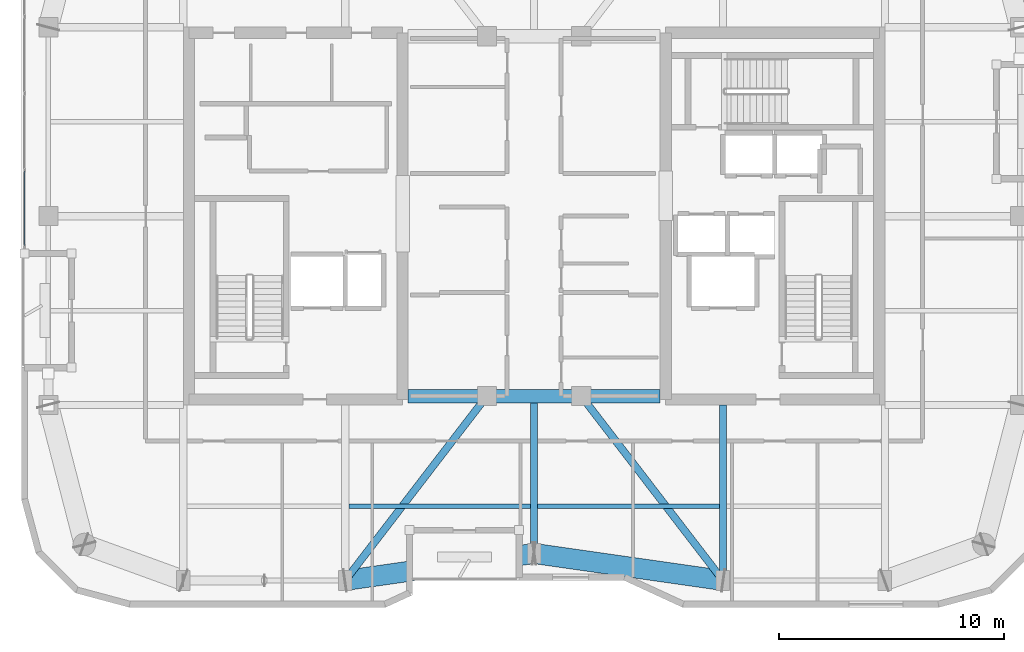
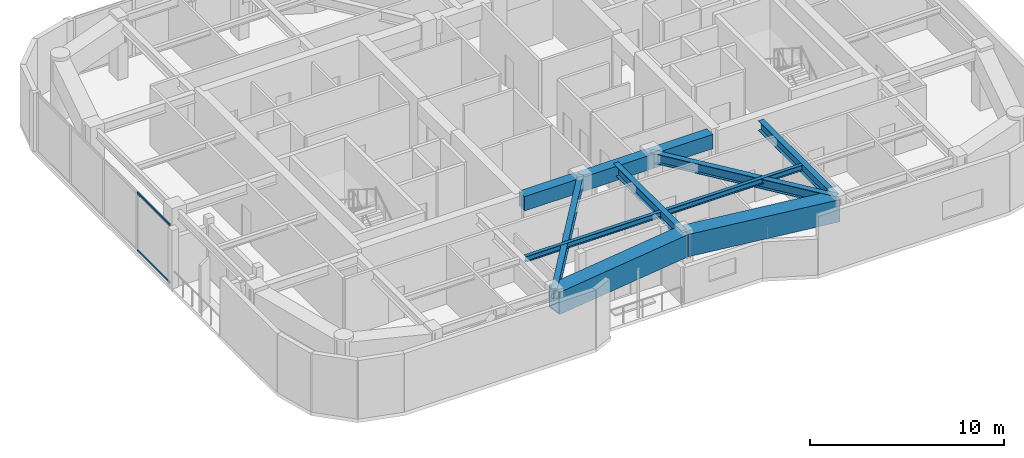
# One storey, part 3 of 15: 11 beams, 2 members, 1 element without a shape of its own.
"""IFC4 building model written with IfcOpenShell, lengths in metres."""

from ifc_helpers import new_model, si_unit, direction, frame, origin, origin_2d, place, context, subcontext, project, spatial, rectangle, hollow_rectangle, i_section, extrude, material, layer, layer_set, material_profile, profile_set, type_object, element, aggregate, save


model = new_model("IFC4")

# Units and contexts
model_context = context("Model", 3, precision=1e-05, world=origin(), true_north=direction((0.0, 1.0)))
body_context = subcontext(model_context, "Body", "Model", "MODEL_VIEW")
ifc_project = project(units=[si_unit("LENGTHUNIT", "METRE"), si_unit("AREAUNIT", "SQUARE_METRE"), si_unit("VOLUMEUNIT", "CUBIC_METRE"), si_unit("PLANEANGLEUNIT", "RADIAN"), si_unit("MASSUNIT", "GRAM", prefix="KILO")], contexts=[model_context])

# Site, building, storey
site_placement = place(None, origin())
site = spatial("IfcSite", under=ifc_project, at=site_placement, CompositionType="ELEMENT")
building_placement = place(site_placement, origin())
building = spatial("IfcBuilding", under=site, at=building_placement, Name="Kiyonajd Concourse Tower", CompositionType="ELEMENT")
storey_placement = place(building_placement, frame((0.0, 0.0, 321.89990234375)))
storey = spatial("IfcBuildingStorey", under=building, at=storey_placement, Name="L81", CompositionType="ELEMENT", Elevation=321.89990234375)

# Beams
ifc_material_1 = material(Name="Concrete C60/75", Category="concrete")
ifc_material_profile_1 = material_profile(ifc_material_1, rectangle(XDim=0.60009765625, YDim=0.89990234375, at=origin_2d()), Name="RCBM-600x900")
ifc_profile_set_1 = profile_set([ifc_material_profile_1], Name="Concrete C60/75")
beam_type_1 = type_object("IfcBeamType", Name="BM-COUP-900", PredefinedType="LINTEL", material=ifc_profile_set_1)
beam_1_placement = place(storey_placement, frame((42.39990234375, 28.0, 3.22998046875), z_axis=(1.0, 0.0, 0.0), x_axis=(0.0, 1.0, 0.0)))
element("IfcBeam", 1, at=beam_1_placement, inside=storey, type_object=beam_type_1, Name="L81 Core Coupling Beam S1", PredefinedType="LINTEL", context=body_context, shape_type="SweptSolid", body=[
    extrude(rectangle(XDim=0.60009765625, YDim=0.89990234375, at=origin_2d()), origin(), (0.0, 0.0, 1.0), 3.5),
])
beam_2_placement = place(storey_placement, frame((45.89990234375, 28.0, 3.22998046875), z_axis=(1.0, 0.0, 0.0), x_axis=(0.0, 1.0, 0.0)))
element("IfcBeam", 2, at=beam_2_placement, inside=storey, type_object=beam_type_1, Name="L81 Core Coupling Beam S2", PredefinedType="LINTEL", context=body_context, shape_type="SweptSolid", body=[
    extrude(rectangle(XDim=0.60009765625, YDim=0.89990234375, at=origin_2d()), origin(), (0.0, 0.0, 1.0), 4.2001953125),
])
beam_3_placement = place(storey_placement, frame((50.10009765625, 28.0, 3.22998046875), z_axis=(1.0, 0.0, 0.0), x_axis=(0.0, 1.0, 0.0)))
element("IfcBeam", 3, at=beam_3_placement, inside=storey, type_object=beam_type_1, Name="L81 Core Coupling Beam S3", PredefinedType="LINTEL", context=body_context, shape_type="SweptSolid", body=[
    extrude(rectangle(XDim=0.60009765625, YDim=0.89990234375, at=origin_2d()), origin(), (0.0, 0.0, 1.0), 3.5),
])
ifc_material_2 = material(Name="Steel ASTM A992 Grade 50", Category="steel")
ifc_material_profile_2 = material_profile(ifc_material_2, i_section(OverallWidth=0.205078125, OverallDepth=0.35400390625, WebThickness=0.009521484375, FlangeThickness=0.016845703125, at=origin_2d()), Name="W360X79")
ifc_profile_set_2 = profile_set([ifc_material_profile_2], Name="Steel ASTM A992 Grade 50")
beam_type_2 = type_object("IfcBeamType", Name="BM-JST-360", PredefinedType="JOIST", material=ifc_profile_set_2)
for number, where, z_axis, x_axis, name in (
    (4, (39.761962890625, 23.10009765625, 3.503173828125), (1.0, 0.0, 0.0), (0.0, 1.0, 0.0), "L81 Secondary Floor Joist"),
    (5, (48.162109375, 23.10009765625, 3.503173828125), (1.0, 0.0, 0.0), (0.0, 1.0, 0.0), "L81 Secondary Floor Joist"),
):
    element("IfcBeam", number, at=place(storey_placement, frame(where, z_axis=z_axis, x_axis=x_axis)), inside=storey, type_object=beam_type_2, Name=name, PredefinedType="JOIST", context=body_context, shape_type="SweptSolid", body=[
        extrude(i_section(OverallWidth=0.205078125, OverallDepth=0.35400390625, WebThickness=0.009521484375, FlangeThickness=0.016845703125, at=origin_2d()), origin(), (0.0, 0.0, 1.0), 8.075927734375),
    ])
ifc_material_profile_3 = material_profile(ifc_material_2, i_section(OverallWidth=0.326904296875, OverallDepth=0.6220703125, WebThickness=0.015380859375, FlangeThickness=0.0244140625, at=origin_2d()), Name="W610X195")
ifc_profile_set_3 = profile_set([ifc_material_profile_3], Name="Steel ASTM A992 Grade 50")
beam_type_3 = type_object("IfcBeamType", Name="BM-TWR-610A", PredefinedType="BEAM", material=ifc_profile_set_3)
for number, where, z_axis, x_axis, name in (
    (6, (39.60009765625, 19.800048828125, 3.369140625), (0.609233709922, 0.792990722956, 0.0), (-0.792990722956, 0.609233709922, 0.0), "L81 Core Tie Girder"),
    (7, (50.10009765625, 28.0, 3.369140625), (0.609233709922, -0.792990722956, 0.0), (0.792990722956, 0.609233709922, 0.0), "L81 Core Tie Girder"),
):
    element("IfcBeam", number, at=place(storey_placement, frame(where, z_axis=z_axis, x_axis=x_axis)), inside=storey, type_object=beam_type_3, Name=name, PredefinedType="BEAM", context=body_context, shape_type="SweptSolid", body=[
        extrude(i_section(OverallWidth=0.326904296875, OverallDepth=0.6220703125, WebThickness=0.015380859375, FlangeThickness=0.0244140625, at=origin_2d()), origin(), (0.0, 0.0, 1.0), 10.340576171875),
    ])
ifc_material_profile_4 = material_profile(ifc_material_2, i_section(OverallWidth=0.323974609375, OverallDepth=0.611083984375, WebThickness=0.0126953125, FlangeThickness=0.01904296875, at=origin_2d()), Name="W610X155")
ifc_profile_set_4 = profile_set([ifc_material_profile_4], Name="Steel ASTM A992 Grade 50")
beam_type_4 = type_object("IfcBeamType", Name="BM-TWR-610B", PredefinedType="BEAM", material=ifc_profile_set_4)
beam_4_placement = place(storey_placement, frame((56.39990234375, 19.800048828125, 3.37451171875), z_axis=(0.0, 1.0, 0.0), x_axis=(-1.0, 0.0, 0.0)))
element("IfcBeam", 8, at=beam_4_placement, inside=storey, type_object=beam_type_4, Name="L81 South Lease Girder", PredefinedType="BEAM", context=body_context, shape_type="SweptSolid", body=[
    extrude(i_section(OverallWidth=0.323974609375, OverallDepth=0.611083984375, WebThickness=0.0126953125, FlangeThickness=0.01904296875, at=origin_2d()), origin(), (0.0, 0.0, 1.0), 7.800048828125),
])
beam_5_placement = place(storey_placement, frame((48.0, 21.0, 3.37451171875), z_axis=(0.0, 1.0, 0.0), x_axis=(-1.0, 0.0, 0.0)))
element("IfcBeam", 9, at=beam_5_placement, inside=storey, type_object=beam_type_4, Name="L81 South Ribbon Girder", PredefinedType="BEAM", context=body_context, shape_type="SweptSolid", body=[
    extrude(i_section(OverallWidth=0.323974609375, OverallDepth=0.611083984375, WebThickness=0.0126953125, FlangeThickness=0.01904296875, at=origin_2d()), origin(), (0.0, 0.0, 1.0), 7.0),
])
ifc_material_3 = material(Name="Steel ASTM A572 Grade 50", Category="steel")
ifc_material_profile_5 = material_profile(ifc_material_3, hollow_rectangle(XDim=0.89990234375, YDim=1.39990234375, WallThickness=0.070068359375, at=origin_2d()), Name="BOX-1400x900x70")
ifc_profile_set_5 = profile_set([ifc_material_profile_5], Name="Steel ASTM A572 Grade 50")
beam_type_5 = type_object("IfcBeamType", Name="BM-XFER-1400", PredefinedType="BEAM", material=ifc_profile_set_5)
for number, where, z_axis, x_axis, name in (
    (10, (39.60009765625, 19.800048828125, 2.97998046875), (0.989950069105, 0.141417328072, 0.0), (-0.141417328072, 0.989950069105, 0.0), "L81 Perimeter Bundled Tube Spandrel"),
    (11, (48.0, 21.0, 2.97998046875), (0.989950069105, -0.141417328072, 0.0), (0.141417328072, 0.989950069105, 0.0), "L81 Perimeter Bundled Tube Spandrel"),
):
    element("IfcBeam", number, at=place(storey_placement, frame(where, z_axis=z_axis, x_axis=x_axis)), inside=storey, type_object=beam_type_5, Name=name, PredefinedType="BEAM", context=body_context, shape_type="SweptSolid", body=[
        extrude(hollow_rectangle(XDim=0.89990234375, YDim=1.39990234375, WallThickness=0.070068359375, at=origin_2d()), origin(), (0.0, 0.0, 1.0), 8.485107421875),
    ])

# Curtain wall, members
ifc_material_4 = material(Name="Thermally Broken Anodised Aluminium", Category="aluminium")
ifc_layer = layer(ifc_material_4, 0.179931640625)
ifc_layer_set = layer_set([ifc_layer], Name="Thermally Broken Anodised Aluminium")
curtain_wall_type = type_object("IfcCurtainWallType", Name="CW-SYS-04", PredefinedType="NOTDEFINED", material=ifc_layer_set)
curtain_wall_placement = place(storey_placement, origin())
curtain_wall = element("IfcCurtainWall", 12, at=curtain_wall_placement, inside=storey, type_object=curtain_wall_type, Name="L81 Unitised Curtain Wall CW4", PredefinedType="NOTDEFINED")
ifc_material_profile_6 = material_profile(ifc_material_4, hollow_rectangle(XDim=0.06494140625, YDim=0.139892578125, WallThickness=0.00390625, at=origin_2d()), Name="TRAN-65x140")
ifc_profile_set_6 = profile_set([ifc_material_profile_6], Name="Thermally Broken Anodised Aluminium")
member_type = type_object("IfcMemberType", Name="MB-CW-TRAN1", PredefinedType="USERDEFINED", material=ifc_profile_set_6)
member_1_placement = place(storey_placement, frame((25.340087890625, 34.695068359375, 0.03271484375), z_axis=(0.0, 1.0, 0.0), x_axis=(-1.0, 0.0, 0.0)))
member_1 = element("IfcMember", 13, at=member_1_placement, type_object=member_type, Name="CW4 transom 1.1", ObjectType="TRANSOM", PredefinedType="USERDEFINED", context=body_context, shape_type="SweptSolid", body=[
    extrude(hollow_rectangle(XDim=0.06494140625, YDim=0.139892578125, WallThickness=0.00390625, at=origin_2d()), origin(), (0.0, 0.0, 1.0), 3.31787109375),
])
member_2_placement = place(storey_placement, frame((25.340087890625, 34.695068359375, 3.647705078125), z_axis=(0.0, 1.0, 0.0), x_axis=(-1.0, 0.0, 0.0)))
member_2 = element("IfcMember", 14, at=member_2_placement, type_object=member_type, Name="CW4 transom 1.2", ObjectType="TRANSOM", PredefinedType="USERDEFINED", context=body_context, shape_type="SweptSolid", body=[
    extrude(hollow_rectangle(XDim=0.06494140625, YDim=0.139892578125, WallThickness=0.00390625, at=origin_2d()), origin(), (0.0, 0.0, 1.0), 3.31787109375),
])
aggregate(curtain_wall, [member_1, member_2])

save(model, "model.ifc")
